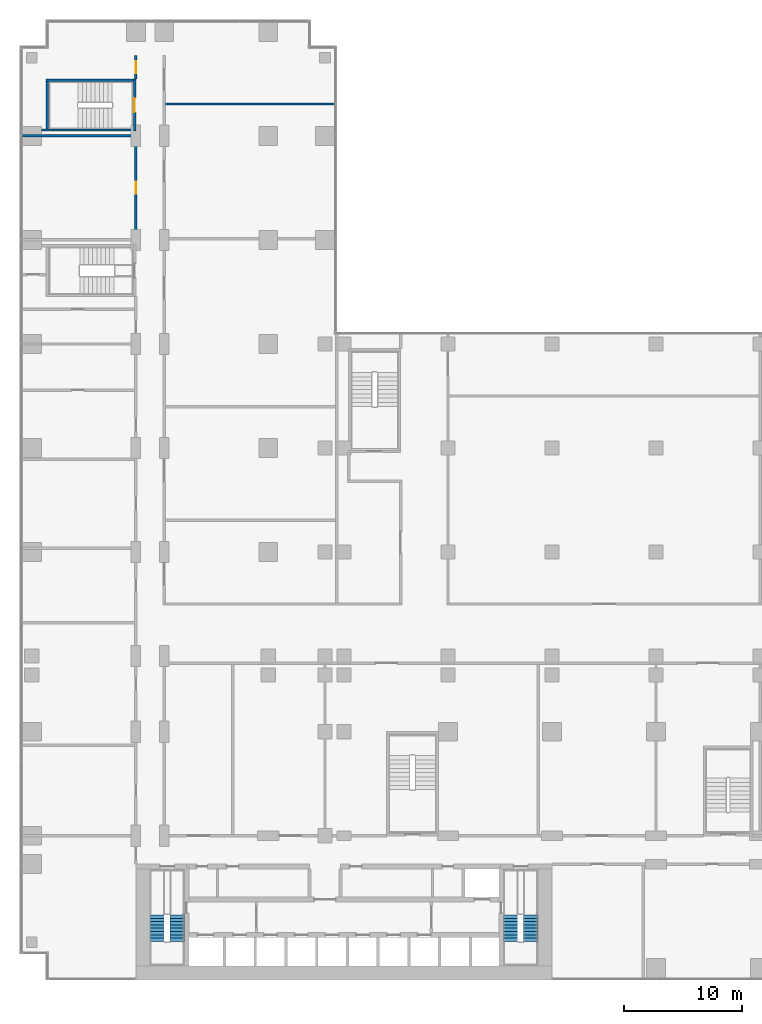
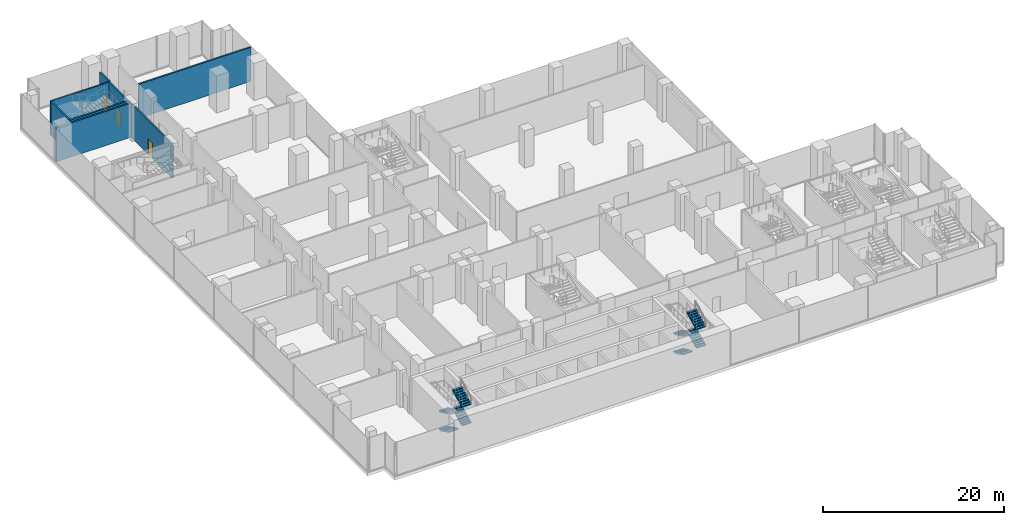
# One storey, part 22 of 30: 8 stair flights, 8 walls, 3 doors, 3 openings, 2 elements without a shape of their own.
"""IFC4 building model written with IfcOpenShell, lengths in metres."""

from ifc_helpers import new_model, si_unit, direction, frame, frame_2d, origin, place, context, subcontext, project, spatial, polyline, rectangle, outline, extrude, material, layer, layer_set, type_object, element, fill, aggregate, save


model = new_model("IFC4")

# Units and contexts
model_context = context("Model", 3, precision=1e-05, world=origin(), true_north=direction((0.0, 1.0)))
body_context = subcontext(model_context, "Body", "Model", "MODEL_VIEW")
ifc_project = project(units=[si_unit("LENGTHUNIT", "METRE"), si_unit("AREAUNIT", "SQUARE_METRE"), si_unit("VOLUMEUNIT", "CUBIC_METRE"), si_unit("PLANEANGLEUNIT", "RADIAN"), si_unit("MASSUNIT", "GRAM", prefix="KILO")], contexts=[model_context])

# Site, building, storey
site_placement = place(None, origin())
site = spatial("IfcSite", under=ifc_project, at=site_placement, CompositionType="ELEMENT")
building_placement = place(site_placement, origin())
building = spatial("IfcBuilding", under=site, at=building_placement, Name="Kemantara Hotel Tower", CompositionType="ELEMENT")
storey_placement = place(building_placement, frame((0.0, 0.0, 13.0)))
storey = spatial("IfcBuildingStorey", under=building, at=storey_placement, Name="L02", CompositionType="ELEMENT", Elevation=13.0)

# Wall, opening, door
ifc_material_1 = material(Name="Concrete fc 40 MPa", Category="concrete")
ifc_layer_1 = layer(ifc_material_1, 0.199951171875)
ifc_layer_set_1 = layer_set([ifc_layer_1], Name="Concrete fc 40 MPa")
wall_type_1 = type_object("IfcWallType", Name="Concrete stair wall 200 mm", PredefinedType="SHEAR", material=ifc_layer_set_1)
wall_1_placement = place(storey_placement, frame((9.699951171875, 71.800048828125, 0.0), z_axis=(0.0, 0.0, 1.0), x_axis=(0.0, 1.0, 0.0)))
wall_1 = element("IfcWall", 1, at=wall_1_placement, inside=storey, type_object=wall_type_1, Name="Stair ST6 enclosure wall with door", PredefinedType="SHEAR", context=body_context, shape_type="SweptSolid", body=[
    extrude(rectangle(XDim=4.39990234375, YDim=0.199951171875, at=frame_2d((2.199951171875, 0.0))), origin(), (0.0, 0.0, 1.0), 4.60009765625),
])
opening_1_placement = place(wall_1_placement, frame((1.60009765625, 0.0, 0.0)))
opening_1 = element("IfcOpeningElement", 2, at=opening_1_placement, cuts=wall_1, Name="Opening ST6-C", PredefinedType="OPENING", context=body_context, shape_type="SweptSolid", body=[
    extrude(rectangle(XDim=1.199951171875, YDim=2.10009765625, at=frame_2d((0.60009765625, 1.050048828125))), frame((0.0, 0.10986328125, 0.0), z_axis=(0.0, -1.0, 0.0), x_axis=(1.0, 0.0, 0.0)), (0.0, 0.0, 1.0), 0.219970703125),
])
ifc_material_2 = material(Name="Steel fire door", Category="steel")
door_type_1 = type_object("IfcDoorType", Name="Fire door FD90 1200 x 2100", OperationType="NOTDEFINED", PredefinedType="DOOR", material=ifc_material_2)
door_1_placement = place(opening_1_placement, origin())
door_1 = element("IfcDoor", 3, at=door_1_placement, inside=storey, type_object=door_type_1, Name="Stair ST6 door", OperationType="SINGLE_SWING_RIGHT", OverallHeight=2.10009765625, OverallWidth=1.199951171875, PredefinedType="DOOR", context=body_context, shape_type="SweptSolid", body=[
    extrude(rectangle(XDim=1.199951171875, YDim=2.10009765625, at=frame_2d((0.60009765625, 1.050048828125))), frame((0.0, 0.02490234375, 0.0), z_axis=(0.0, -1.0, 0.0), x_axis=(1.0, 0.0, 0.0)), (0.0, 0.0, 1.0), 0.050048828125),
])
fill(opening_1, door_1)

# Walls
wall_2_placement = place(storey_placement, frame((2.199951171875, 76.10009765625, 0.0), z_axis=(0.0, 0.0, 1.0), x_axis=(1.0, 0.0, 0.0)))
element("IfcWall", 4, at=wall_2_placement, inside=storey, type_object=wall_type_1, Name="Stair ST6 enclosure wall N", PredefinedType="SHEAR", context=body_context, shape_type="SweptSolid", body=[
    extrude(rectangle(XDim=7.400146484375, YDim=0.199951171875, at=frame_2d((3.7001953125, 0.0))), origin(), (0.0, 0.0, 1.0), 4.60009765625),
])
wall_3_placement = place(storey_placement, frame((1.800048828125, 71.89990234375, 0.0), z_axis=(0.0, 0.0, 1.0), x_axis=(1.0, 0.0, 0.0)))
element("IfcWall", 5, at=wall_3_placement, inside=storey, type_object=wall_type_1, Name="Stair ST6 enclosure wall S", PredefinedType="SHEAR", context=body_context, shape_type="SweptSolid", body=[
    extrude(rectangle(XDim=7.800048828125, YDim=0.199951171875, at=frame_2d((3.89990234375, 0.0))), origin(), (0.0, 0.0, 1.0), 4.60009765625),
])
wall_4_placement = place(storey_placement, frame((2.300048828125, 72.0, 0.0), z_axis=(0.0, 0.0, 1.0), x_axis=(0.0, 1.0, 0.0)))
element("IfcWall", 6, at=wall_4_placement, inside=storey, type_object=wall_type_1, Name="Stair ST6 enclosure wall W", PredefinedType="SHEAR", context=body_context, shape_type="SweptSolid", body=[
    extrude(rectangle(XDim=4.0, YDim=0.199951171875, at=frame_2d((2.0, 0.0))), origin(), (0.0, 0.0, 1.0), 4.60009765625),
])

# Wall, opening, door
ifc_material_3 = material(Name="Fire-rated gypsum board partition")
ifc_layer_2 = layer(ifc_material_3, 0.199951171875)
ifc_layer_set_2 = layer_set([ifc_layer_2], Name="Fire-rated gypsum board partition")
wall_type_2 = type_object("IfcWallType", Name="FIRE-RATED GYPSUM PARTITION 200 EI 60", PredefinedType="PARTITIONING", material=ifc_layer_set_2)
wall_5_placement = place(storey_placement, frame((9.800048828125, 62.199951171875, 0.0), z_axis=(0.0, 0.0, 1.0), x_axis=(0.0, 1.0, 0.0)))
wall_5 = element("IfcWall", 7, at=wall_5_placement, inside=storey, type_object=wall_type_2, Name="FIRE-RATED PARTITION", PredefinedType="PARTITIONING", context=body_context, shape_type="SweptSolid", body=[
    extrude(rectangle(XDim=9.60009765625, YDim=0.199951171875, at=frame_2d((4.800048828125, 0.0))), origin(), (0.0, 0.0, 1.0), 4.60009765625),
])
opening_2_placement = place(wall_5_placement, frame((4.300048828125, 0.0, 0.0)))
opening_2 = element("IfcOpeningElement", 8, at=opening_2_placement, cuts=wall_5, Name="Opening L02-B014", PredefinedType="OPENING", context=body_context, shape_type="SweptSolid", body=[
    extrude(rectangle(XDim=1.0, YDim=2.10009765625, at=frame_2d((0.5, 1.050048828125))), frame((0.0, 0.10986328125, 0.0), z_axis=(0.0, -1.0, 0.0), x_axis=(1.0, 0.0, 0.0)), (0.0, 0.0, 1.0), 0.219970703125),
])
ifc_material_4 = material(Name="Timber veneer door leaf", Category="wood")
door_type_2 = type_object("IfcDoorType", Name="SINGLE LEAF TIMBER DOOR 1000 X 2100", OperationType="SINGLE_SWING_LEFT", PredefinedType="DOOR", material=ifc_material_4)
door_2_placement = place(opening_2_placement, origin())
door_2 = element("IfcDoor", 9, at=door_2_placement, inside=storey, type_object=door_type_2, Name="SINGLE LEAF TIMBER DOOR", OperationType="SINGLE_SWING_RIGHT", OverallHeight=2.10009765625, OverallWidth=1.0, PredefinedType="DOOR", context=body_context, shape_type="SweptSolid", body=[
    extrude(rectangle(XDim=1.0, YDim=2.10009765625, at=frame_2d((0.5, 1.050048828125))), frame((0.0, 0.02490234375, 0.0), z_axis=(0.0, -1.0, 0.0), x_axis=(1.0, 0.0, 0.0)), (0.0, 0.0, 1.0), 0.050048828125),
])
fill(opening_2, door_2)

wall_6_placement = place(storey_placement, frame((9.800048828125, 76.199951171875, 0.0), z_axis=(0.0, 0.0, 1.0), x_axis=(0.0, 1.0, 0.0)))
wall_6 = element("IfcWall", 10, at=wall_6_placement, inside=storey, type_object=wall_type_2, Name="FIRE-RATED PARTITION", PredefinedType="PARTITIONING", context=body_context, shape_type="SweptSolid", body=[
    extrude(rectangle(XDim=2.0, YDim=0.199951171875, at=frame_2d((1.0, 0.0))), origin(), (0.0, 0.0, 1.0), 4.60009765625),
])
opening_3_placement = place(wall_6_placement, frame((0.5, 0.0, 0.0)))
opening_3 = element("IfcOpeningElement", 11, at=opening_3_placement, cuts=wall_6, Name="Opening L02-B015", PredefinedType="OPENING", context=body_context, shape_type="SweptSolid", body=[
    extrude(rectangle(XDim=1.0, YDim=2.10009765625, at=frame_2d((0.5, 1.050048828125))), frame((0.0, 0.10986328125, 0.0), z_axis=(0.0, -1.0, 0.0), x_axis=(1.0, 0.0, 0.0)), (0.0, 0.0, 1.0), 0.219970703125),
])
door_3_placement = place(opening_3_placement, origin())
door_3 = element("IfcDoor", 12, at=door_3_placement, inside=storey, type_object=door_type_2, Name="SINGLE LEAF TIMBER DOOR", OperationType="SINGLE_SWING_RIGHT", OverallHeight=2.10009765625, OverallWidth=1.0, PredefinedType="DOOR", context=body_context, shape_type="SweptSolid", body=[
    extrude(rectangle(XDim=1.0, YDim=2.10009765625, at=frame_2d((0.5, 1.050048828125))), frame((0.0, 0.02490234375, 0.0), z_axis=(0.0, -1.0, 0.0), x_axis=(1.0, 0.0, 0.0)), (0.0, 0.0, 1.0), 0.050048828125),
])
fill(opening_3, door_3)

# Walls
ifc_material_5 = material(Name="Gypsum board partition")
ifc_layer_3 = layer(ifc_material_5, 0.199951171875)
ifc_layer_set_3 = layer_set([ifc_layer_3], Name="Gypsum board partition")
wall_type_3 = type_object("IfcWallType", Name="GYPSUM BOARD PARTITION 200", PredefinedType="PARTITIONING", material=ifc_layer_set_3)
wall_7_placement = place(storey_placement, frame((0.199951171875, 71.39990234375, 0.0), z_axis=(0.0, 0.0, 1.0), x_axis=(1.0, 0.0, 0.0)))
element("IfcWall", 13, at=wall_7_placement, inside=storey, type_object=wall_type_3, Name="PARTITION", PredefinedType="PARTITIONING", context=body_context, shape_type="SweptSolid", body=[
    extrude(rectangle(XDim=9.5, YDim=0.199951171875, at=frame_2d((4.75, 0.0))), origin(), (0.0, 0.0, 1.0), 4.60009765625),
])
wall_8_placement = place(storey_placement, frame((12.300048828125, 74.10009765625, 0.0), z_axis=(0.0, 0.0, 1.0), x_axis=(1.0, 0.0, 0.0)))
element("IfcWall", 14, at=wall_8_placement, inside=storey, type_object=wall_type_3, Name="PARTITION", PredefinedType="PARTITIONING", context=body_context, shape_type="SweptSolid", body=[
    extrude(rectangle(XDim=14.300048828125, YDim=0.199951171875, at=frame_2d((7.14990234375, 0.0))), origin(), (0.0, 0.0, 1.0), 4.60009765625),
])

# Stair, stair flights
stair_type = type_object("IfcStairType", Name="Stair 1200 wide 36 risers of 139 x 280 mm", PredefinedType="HALF_TURN_STAIR", material=ifc_material_1)
stair_1_placement = place(storey_placement, origin())
stair_1 = element("IfcStair", 15, at=stair_1_placement, inside=storey, type_object=stair_type, Name="L02 Exit stair ST1", PredefinedType="HALF_TURN_STAIR")
stair_flight_type = type_object("IfcStairFlightType", Name="Stair flight 1200 wide 139 x 280 mm", PredefinedType="STRAIGHT", material=ifc_material_1)
stair_flight_1_placement = place(storey_placement, frame((11.60009765625, 5.5, 0.0), z_axis=(0.0, 0.0, 1.0), x_axis=(0.0, -1.0, 0.0)))
stair_flight_1 = element("IfcStairFlight", 16, at=stair_flight_1_placement, type_object=stair_flight_type, Name="ST1 flight 1", NumberOfRisers=9, NumberOfTreads=8, PredefinedType="STRAIGHT", RiserHeight=0.138888889, TreadLength=0.28, context=body_context, shape_type="SweptSolid", body=[
    extrude(outline(polyline([(0.0, 0.0), (0.0, 0.138916015625), (0.280029296875, 0.138916015625), (0.280029296875, 0.27783203125), (0.56005859375, 0.27783203125), (0.56005859375, 0.416748046875), (0.840087890625, 0.416748046875), (0.840087890625, 0.5556640625), (1.1201171875, 0.5556640625), (1.1201171875, 0.6943359375), (1.39990234375, 0.6943359375), (1.39990234375, 0.833251953125), (1.679931640625, 0.833251953125), (1.679931640625, 0.97216796875), (1.9599609375, 0.97216796875), (1.9599609375, 1.111083984375), (2.239990234375, 1.111083984375), (2.239990234375, 1.25), (2.239990234375, 0.94384765625), (0.33740234375, 0.0), (0.0, 0.0)])), frame((0.0, 0.60009765625, 0.0), z_axis=(0.0, -1.0, 0.0), x_axis=(1.0, 0.0, 0.0)), (0.0, 0.0, 1.0), 1.199951171875),
])
stair_flight_2_placement = place(storey_placement, frame((13.300048828125, 3.260009765625, 1.25), z_axis=(0.0, 0.0, 1.0), x_axis=(0.0, 1.0, 0.0)))
stair_flight_2 = element("IfcStairFlight", 17, at=stair_flight_2_placement, type_object=stair_flight_type, Name="ST1 flight 2", NumberOfRisers=9, NumberOfTreads=8, PredefinedType="STRAIGHT", RiserHeight=0.138888889, TreadLength=0.28, context=body_context, shape_type="SweptSolid", body=[
    extrude(outline(polyline([(0.0, 0.0), (0.0, 0.138916015625), (0.280029296875, 0.138916015625), (0.280029296875, 0.27783203125), (0.56005859375, 0.27783203125), (0.56005859375, 0.416748046875), (0.840087890625, 0.416748046875), (0.840087890625, 0.5556640625), (1.1201171875, 0.5556640625), (1.1201171875, 0.6943359375), (1.39990234375, 0.6943359375), (1.39990234375, 0.833251953125), (1.679931640625, 0.833251953125), (1.679931640625, 0.97216796875), (1.9599609375, 0.97216796875), (1.9599609375, 1.111083984375), (2.239990234375, 1.111083984375), (2.239990234375, 1.25), (2.239990234375, 0.94384765625), (0.33740234375, 0.0), (0.0, 0.0)])), frame((0.0, 0.60009765625, 0.0), z_axis=(0.0, -1.0, 0.0), x_axis=(1.0, 0.0, 0.0)), (0.0, 0.0, 1.0), 1.199951171875),
])
stair_flight_3_placement = place(storey_placement, frame((11.60009765625, 5.5, 2.5), z_axis=(0.0, 0.0, 1.0), x_axis=(0.0, -1.0, 0.0)))
stair_flight_3 = element("IfcStairFlight", 18, at=stair_flight_3_placement, type_object=stair_flight_type, Name="ST1 flight 3", NumberOfRisers=9, NumberOfTreads=8, PredefinedType="STRAIGHT", RiserHeight=0.138888889, TreadLength=0.28, context=body_context, shape_type="SweptSolid", body=[
    extrude(outline(polyline([(0.0, 0.0), (0.0, 0.138916015625), (0.280029296875, 0.138916015625), (0.280029296875, 0.27783203125), (0.56005859375, 0.27783203125), (0.56005859375, 0.416748046875), (0.840087890625, 0.416748046875), (0.840087890625, 0.5556640625), (1.1201171875, 0.5556640625), (1.1201171875, 0.6943359375), (1.39990234375, 0.6943359375), (1.39990234375, 0.833251953125), (1.679931640625, 0.833251953125), (1.679931640625, 0.97216796875), (1.9599609375, 0.97216796875), (1.9599609375, 1.111083984375), (2.239990234375, 1.111083984375), (2.239990234375, 1.25), (2.239990234375, 0.94384765625), (0.33740234375, 0.0), (0.0, 0.0)])), frame((0.0, 0.60009765625, 0.0), z_axis=(0.0, -1.0, 0.0), x_axis=(1.0, 0.0, 0.0)), (0.0, 0.0, 1.0), 1.199951171875),
])
stair_flight_4_placement = place(storey_placement, frame((13.300048828125, 3.260009765625, 3.75), z_axis=(0.0, 0.0, 1.0), x_axis=(0.0, 1.0, 0.0)))
stair_flight_4 = element("IfcStairFlight", 19, at=stair_flight_4_placement, type_object=stair_flight_type, Name="ST1 flight 4", NumberOfRisers=9, NumberOfTreads=8, PredefinedType="STRAIGHT", RiserHeight=0.138888889, TreadLength=0.28, context=body_context, shape_type="SweptSolid", body=[
    extrude(outline(polyline([(0.0, 0.0), (0.0, 0.138916015625), (0.280029296875, 0.138916015625), (0.280029296875, 0.27783203125), (0.56005859375, 0.27783203125), (0.56005859375, 0.416748046875), (0.840087890625, 0.416748046875), (0.840087890625, 0.5556640625), (1.1201171875, 0.5556640625), (1.1201171875, 0.6943359375), (1.39990234375, 0.6943359375), (1.39990234375, 0.833251953125), (1.679931640625, 0.833251953125), (1.679931640625, 0.97216796875), (1.9599609375, 0.97216796875), (1.9599609375, 1.111083984375), (2.239990234375, 1.111083984375), (2.239990234375, 1.25), (2.239990234375, 0.94384765625), (0.33740234375, 0.0), (0.0, 0.0)])), frame((0.0, 0.60009765625, 0.0), z_axis=(0.0, -1.0, 0.0), x_axis=(1.0, 0.0, 0.0)), (0.0, 0.0, 1.0), 1.199951171875),
])
aggregate(stair_1, [stair_flight_1, stair_flight_2, stair_flight_3, stair_flight_4])

stair_2_placement = place(storey_placement, origin())
stair_2 = element("IfcStair", 20, at=stair_2_placement, inside=storey, type_object=stair_type, Name="L02 Exit stair ST2", PredefinedType="HALF_TURN_STAIR")
stair_flight_5_placement = place(storey_placement, frame((41.5, 5.5, 0.0), z_axis=(0.0, 0.0, 1.0), x_axis=(0.0, -1.0, 0.0)))
stair_flight_5 = element("IfcStairFlight", 21, at=stair_flight_5_placement, type_object=stair_flight_type, Name="ST2 flight 1", NumberOfRisers=9, NumberOfTreads=8, PredefinedType="STRAIGHT", RiserHeight=0.138888889, TreadLength=0.28, context=body_context, shape_type="SweptSolid", body=[
    extrude(outline(polyline([(0.0, 0.0), (0.0, 0.138916015625), (0.280029296875, 0.138916015625), (0.280029296875, 0.27783203125), (0.56005859375, 0.27783203125), (0.56005859375, 0.416748046875), (0.840087890625, 0.416748046875), (0.840087890625, 0.5556640625), (1.1201171875, 0.5556640625), (1.1201171875, 0.6943359375), (1.39990234375, 0.6943359375), (1.39990234375, 0.833251953125), (1.679931640625, 0.833251953125), (1.679931640625, 0.97216796875), (1.9599609375, 0.97216796875), (1.9599609375, 1.111083984375), (2.239990234375, 1.111083984375), (2.239990234375, 1.25), (2.239990234375, 0.94384765625), (0.33740234375, 0.0), (0.0, 0.0)])), frame((0.0, 0.60009765625, 0.0), z_axis=(0.0, -1.0, 0.0), x_axis=(1.0, 0.0, 0.0)), (0.0, 0.0, 1.0), 1.199951171875),
])
stair_flight_6_placement = place(storey_placement, frame((43.199951171875, 3.260009765625, 1.25), z_axis=(0.0, 0.0, 1.0), x_axis=(0.0, 1.0, 0.0)))
stair_flight_6 = element("IfcStairFlight", 22, at=stair_flight_6_placement, type_object=stair_flight_type, Name="ST2 flight 2", NumberOfRisers=9, NumberOfTreads=8, PredefinedType="STRAIGHT", RiserHeight=0.138888889, TreadLength=0.28, context=body_context, shape_type="SweptSolid", body=[
    extrude(outline(polyline([(0.0, 0.0), (0.0, 0.138916015625), (0.280029296875, 0.138916015625), (0.280029296875, 0.27783203125), (0.56005859375, 0.27783203125), (0.56005859375, 0.416748046875), (0.840087890625, 0.416748046875), (0.840087890625, 0.5556640625), (1.1201171875, 0.5556640625), (1.1201171875, 0.6943359375), (1.39990234375, 0.6943359375), (1.39990234375, 0.833251953125), (1.679931640625, 0.833251953125), (1.679931640625, 0.97216796875), (1.9599609375, 0.97216796875), (1.9599609375, 1.111083984375), (2.239990234375, 1.111083984375), (2.239990234375, 1.25), (2.239990234375, 0.94384765625), (0.33740234375, 0.0), (0.0, 0.0)])), frame((0.0, 0.60009765625, 0.0), z_axis=(0.0, -1.0, 0.0), x_axis=(1.0, 0.0, 0.0)), (0.0, 0.0, 1.0), 1.199951171875),
])
stair_flight_7_placement = place(storey_placement, frame((41.5, 5.5, 2.5), z_axis=(0.0, 0.0, 1.0), x_axis=(0.0, -1.0, 0.0)))
stair_flight_7 = element("IfcStairFlight", 23, at=stair_flight_7_placement, type_object=stair_flight_type, Name="ST2 flight 3", NumberOfRisers=9, NumberOfTreads=8, PredefinedType="STRAIGHT", RiserHeight=0.138888889, TreadLength=0.28, context=body_context, shape_type="SweptSolid", body=[
    extrude(outline(polyline([(0.0, 0.0), (0.0, 0.138916015625), (0.280029296875, 0.138916015625), (0.280029296875, 0.27783203125), (0.56005859375, 0.27783203125), (0.56005859375, 0.416748046875), (0.840087890625, 0.416748046875), (0.840087890625, 0.5556640625), (1.1201171875, 0.5556640625), (1.1201171875, 0.6943359375), (1.39990234375, 0.6943359375), (1.39990234375, 0.833251953125), (1.679931640625, 0.833251953125), (1.679931640625, 0.97216796875), (1.9599609375, 0.97216796875), (1.9599609375, 1.111083984375), (2.239990234375, 1.111083984375), (2.239990234375, 1.25), (2.239990234375, 0.94384765625), (0.33740234375, 0.0), (0.0, 0.0)])), frame((0.0, 0.60009765625, 0.0), z_axis=(0.0, -1.0, 0.0), x_axis=(1.0, 0.0, 0.0)), (0.0, 0.0, 1.0), 1.199951171875),
])
stair_flight_8_placement = place(storey_placement, frame((43.199951171875, 3.260009765625, 3.75), z_axis=(0.0, 0.0, 1.0), x_axis=(0.0, 1.0, 0.0)))
stair_flight_8 = element("IfcStairFlight", 24, at=stair_flight_8_placement, type_object=stair_flight_type, Name="ST2 flight 4", NumberOfRisers=9, NumberOfTreads=8, PredefinedType="STRAIGHT", RiserHeight=0.138888889, TreadLength=0.28, context=body_context, shape_type="SweptSolid", body=[
    extrude(outline(polyline([(0.0, 0.0), (0.0, 0.138916015625), (0.280029296875, 0.138916015625), (0.280029296875, 0.27783203125), (0.56005859375, 0.27783203125), (0.56005859375, 0.416748046875), (0.840087890625, 0.416748046875), (0.840087890625, 0.5556640625), (1.1201171875, 0.5556640625), (1.1201171875, 0.6943359375), (1.39990234375, 0.6943359375), (1.39990234375, 0.833251953125), (1.679931640625, 0.833251953125), (1.679931640625, 0.97216796875), (1.9599609375, 0.97216796875), (1.9599609375, 1.111083984375), (2.239990234375, 1.111083984375), (2.239990234375, 1.25), (2.239990234375, 0.94384765625), (0.33740234375, 0.0), (0.0, 0.0)])), frame((0.0, 0.60009765625, 0.0), z_axis=(0.0, -1.0, 0.0), x_axis=(1.0, 0.0, 0.0)), (0.0, 0.0, 1.0), 1.199951171875),
])
aggregate(stair_2, [stair_flight_5, stair_flight_6, stair_flight_7, stair_flight_8])

save(model, "model.ifc")
